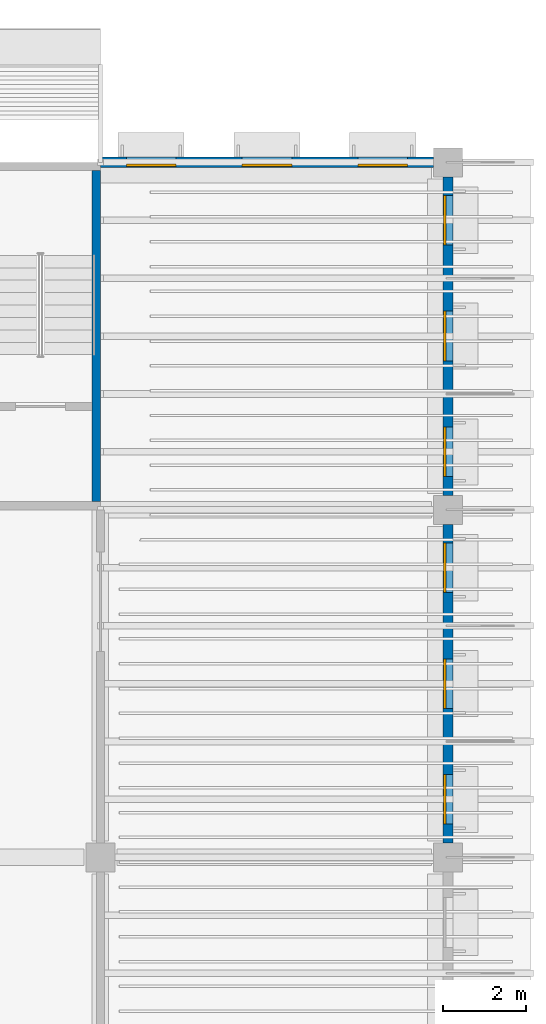
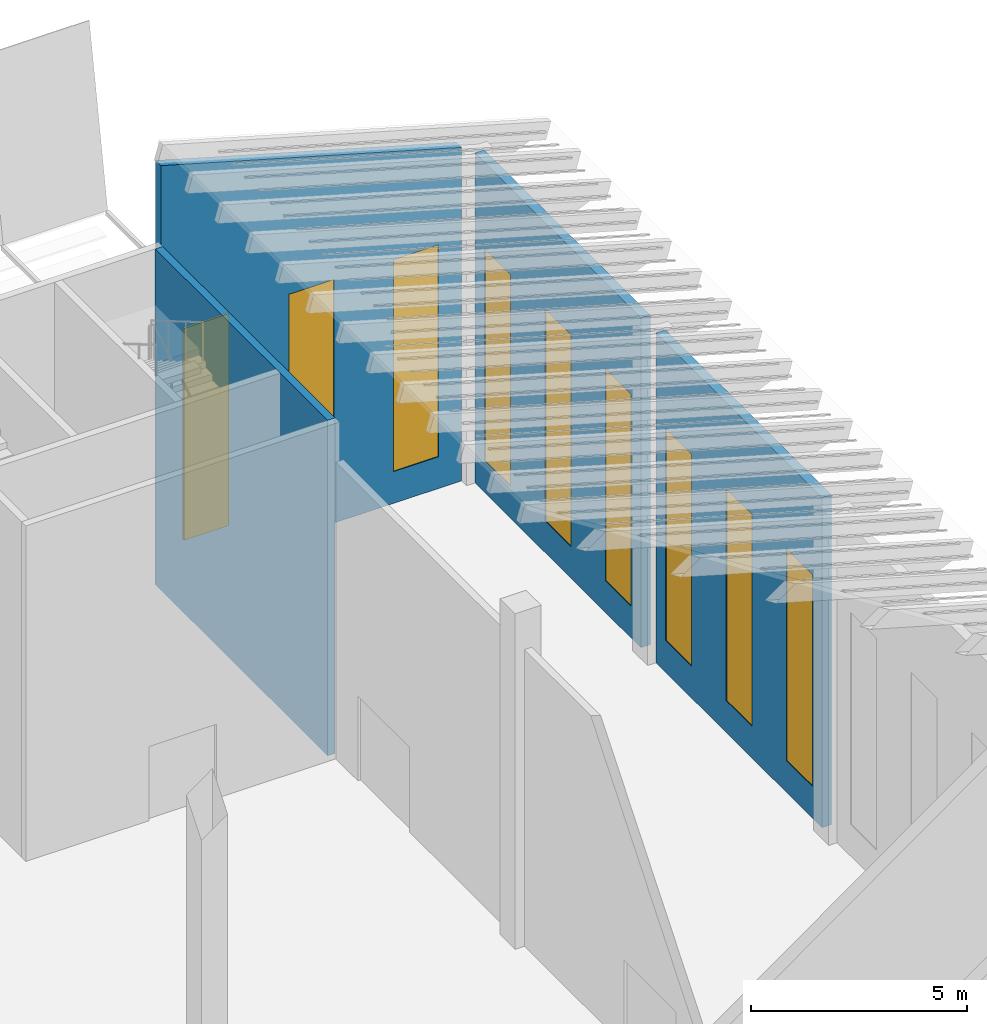
# One storey, part 52 of 114: 9 windows, 4 walls, 9 openings.
"""IFC4 building model written with IfcOpenShell, lengths in metres."""

from ifc_helpers import new_model, si_unit, direction, frame, frame_2d, origin, place, context, subcontext, project, spatial, polyline, rectangle, outline, extrude, material, layer, layer_set, type_object, element, fill, save


model = new_model("IFC4")

# Units and contexts
model_context = context("Model", 3, precision=1e-05, world=origin(), true_north=direction((0.0, 1.0)))
body_context = subcontext(model_context, "Body", "Model", "MODEL_VIEW")
ifc_project = project(units=[si_unit("LENGTHUNIT", "METRE"), si_unit("AREAUNIT", "SQUARE_METRE"), si_unit("VOLUMEUNIT", "CUBIC_METRE"), si_unit("PLANEANGLEUNIT", "RADIAN"), si_unit("MASSUNIT", "GRAM", prefix="KILO")], contexts=[model_context])

# Site, building, storey
site_placement = place(None, origin())
site = spatial("IfcSite", under=ifc_project, at=site_placement, CompositionType="ELEMENT")
building_placement = place(site_placement, origin())
building = spatial("IfcBuilding", under=site, at=building_placement, Name="Almond Square Museum", CompositionType="ELEMENT")
storey_placement = place(building_placement, frame((0.0, 0.0, 10.5)))
storey = spatial("IfcBuildingStorey", under=building, at=storey_placement, Name="L02", CompositionType="ELEMENT", Elevation=10.5)

# Wall, openings, windows
ifc_material_1 = material(Name="Precast concrete C40/50", Category="concrete")
ifc_layer_1 = layer(ifc_material_1, 0.25)
ifc_layer_set_1 = layer_set([ifc_layer_1], Name="Precast concrete C40/50")
wall_type_1 = type_object("IfcWallType", Name="Precast concrete panel wall 250 with coral limestone piers", PredefinedType="SOLIDWALL", material=ifc_layer_set_1)
wall_1_placement = place(storey_placement, frame((157.199951171875, 92.75, 0.0), z_axis=(0.0, 0.0, 1.0), x_axis=(0.0, 1.0, 0.0)))
wall_1 = element("IfcWall", 1, at=wall_1_placement, inside=storey, type_object=wall_type_1, Name="External wall W2 V4E L02 E05", PredefinedType="SOLIDWALL", context=body_context, shape_type="SweptSolid", body=[
    extrude(rectangle(XDim=7.699951171875, YDim=0.25, at=frame_2d((3.85009765625, 0.0))), origin(), (0.0, 0.0, 1.0), 9.341552734375),
])
opening_1_placement = place(wall_1_placement, frame((0.449951171875, 0.0, 0.89990234375)))
opening_1 = element("IfcOpeningElement", 2, at=opening_1_placement, cuts=wall_1, Name="Opening W2096", PredefinedType="OPENING", context=body_context, shape_type="SweptSolid", body=[
    extrude(rectangle(XDim=1.199951171875, YDim=6.0, at=frame_2d((0.60009765625, 3.0))), frame((0.0, 0.135009765625, 0.0), z_axis=(0.0, -1.0, 0.0), x_axis=(1.0, 0.0, 0.0)), (0.0, 0.0, 1.0), 0.27001953125),
])
opening_2_placement = place(wall_1_placement, frame((3.25, 0.0, 0.89990234375)))
opening_2 = element("IfcOpeningElement", 3, at=opening_2_placement, cuts=wall_1, Name="Opening W2097", PredefinedType="OPENING", context=body_context, shape_type="SweptSolid", body=[
    extrude(rectangle(XDim=1.199951171875, YDim=6.0, at=frame_2d((0.60009765625, 3.0))), frame((0.0, 0.135009765625, 0.0), z_axis=(0.0, -1.0, 0.0), x_axis=(1.0, 0.0, 0.0)), (0.0, 0.0, 1.0), 0.27001953125),
])
opening_3_placement = place(wall_1_placement, frame((6.050048828125, 0.0, 0.89990234375)))
opening_3 = element("IfcOpeningElement", 4, at=opening_3_placement, cuts=wall_1, Name="Opening W2098", PredefinedType="OPENING", context=body_context, shape_type="SweptSolid", body=[
    extrude(rectangle(XDim=1.199951171875, YDim=6.0, at=frame_2d((0.60009765625, 3.0))), frame((0.0, 0.135009765625, 0.0), z_axis=(0.0, -1.0, 0.0), x_axis=(1.0, 0.0, 0.0)), (0.0, 0.0, 1.0), 0.27001953125),
])
ifc_material_2 = material(Name="Anodised aluminium louvre and laminated glass", Category="aluminium")
window_type = type_object("IfcWindowType", Name="Tall louvred pier window", PartitioningType="SINGLE_PANEL", PredefinedType="WINDOW", material=ifc_material_2)
window_1_placement = place(opening_1_placement, origin())
window_1 = element("IfcWindow", 5, at=window_1_placement, inside=storey, type_object=window_type, Name="Tall louvred pier window W2096", OverallHeight=6.0, OverallWidth=1.199951171875, PartitioningType="SINGLE_PANEL", PredefinedType="WINDOW", context=body_context, shape_type="SweptSolid", body=[
    extrude(rectangle(XDim=1.199951171875, YDim=6.0, at=frame_2d((0.60009765625, 3.0))), frame((0.0, 0.10498046875, 0.0), z_axis=(0.0, -1.0, 0.0), x_axis=(1.0, 0.0, 0.0)), (0.0, 0.0, 1.0), 0.06005859375),
])
fill(opening_1, window_1)
window_2_placement = place(opening_2_placement, origin())
window_2 = element("IfcWindow", 6, at=window_2_placement, inside=storey, type_object=window_type, Name="Tall louvred pier window W2097", OverallHeight=6.0, OverallWidth=1.199951171875, PartitioningType="SINGLE_PANEL", PredefinedType="WINDOW", context=body_context, shape_type="SweptSolid", body=[
    extrude(rectangle(XDim=1.199951171875, YDim=6.0, at=frame_2d((0.60009765625, 3.0))), frame((0.0, 0.10498046875, 0.0), z_axis=(0.0, -1.0, 0.0), x_axis=(1.0, 0.0, 0.0)), (0.0, 0.0, 1.0), 0.06005859375),
])
fill(opening_2, window_2)
window_3_placement = place(opening_3_placement, origin())
window_3 = element("IfcWindow", 7, at=window_3_placement, inside=storey, type_object=window_type, Name="Tall louvred pier window W2098", OverallHeight=6.0, OverallWidth=1.199951171875, PartitioningType="SINGLE_PANEL", PredefinedType="WINDOW", context=body_context, shape_type="SweptSolid", body=[
    extrude(rectangle(XDim=1.199951171875, YDim=6.0, at=frame_2d((0.60009765625, 3.0))), frame((0.0, 0.10498046875, 0.0), z_axis=(0.0, -1.0, 0.0), x_axis=(1.0, 0.0, 0.0)), (0.0, 0.0, 1.0), 0.06005859375),
])
fill(opening_3, window_3)

wall_2_placement = place(storey_placement, frame((157.199951171875, 101.14990234375, 0.0), z_axis=(0.0, 0.0, 1.0), x_axis=(0.0, 1.0, 0.0)))
wall_2 = element("IfcWall", 8, at=wall_2_placement, inside=storey, type_object=wall_type_1, Name="External wall W2 V4E L02 E06", PredefinedType="SOLIDWALL", context=body_context, shape_type="SweptSolid", body=[
    extrude(rectangle(XDim=7.7001953125, YDim=0.25, at=frame_2d((3.85009765625, 0.0))), origin(), (0.0, 0.0, 1.0), 9.341552734375),
])
opening_4_placement = place(wall_2_placement, frame((0.449951171875, 0.0, 0.89990234375)))
opening_4 = element("IfcOpeningElement", 9, at=opening_4_placement, cuts=wall_2, Name="Opening W2099", PredefinedType="OPENING", context=body_context, shape_type="SweptSolid", body=[
    extrude(rectangle(XDim=1.199951171875, YDim=6.0, at=frame_2d((0.60009765625, 3.0))), frame((0.0, 0.135009765625, 0.0), z_axis=(0.0, -1.0, 0.0), x_axis=(1.0, 0.0, 0.0)), (0.0, 0.0, 1.0), 0.27001953125),
])
opening_5_placement = place(wall_2_placement, frame((3.25, 0.0, 0.89990234375)))
opening_5 = element("IfcOpeningElement", 10, at=opening_5_placement, cuts=wall_2, Name="Opening W2100", PredefinedType="OPENING", context=body_context, shape_type="SweptSolid", body=[
    extrude(rectangle(XDim=1.199951171875, YDim=6.0, at=frame_2d((0.60009765625, 3.0))), frame((0.0, 0.135009765625, 0.0), z_axis=(0.0, -1.0, 0.0), x_axis=(1.0, 0.0, 0.0)), (0.0, 0.0, 1.0), 0.27001953125),
])
opening_6_placement = place(wall_2_placement, frame((6.050048828125, 0.0, 0.89990234375)))
opening_6 = element("IfcOpeningElement", 11, at=opening_6_placement, cuts=wall_2, Name="Opening W2101", PredefinedType="OPENING", context=body_context, shape_type="SweptSolid", body=[
    extrude(rectangle(XDim=1.199951171875, YDim=6.0, at=frame_2d((0.60009765625, 3.0))), frame((0.0, 0.135009765625, 0.0), z_axis=(0.0, -1.0, 0.0), x_axis=(1.0, 0.0, 0.0)), (0.0, 0.0, 1.0), 0.27001953125),
])
window_4_placement = place(opening_4_placement, origin())
window_4 = element("IfcWindow", 12, at=window_4_placement, inside=storey, type_object=window_type, Name="Tall louvred pier window W2099", OverallHeight=6.0, OverallWidth=1.199951171875, PartitioningType="SINGLE_PANEL", PredefinedType="WINDOW", context=body_context, shape_type="SweptSolid", body=[
    extrude(rectangle(XDim=1.199951171875, YDim=6.0, at=frame_2d((0.60009765625, 3.0))), frame((0.0, 0.10498046875, 0.0), z_axis=(0.0, -1.0, 0.0), x_axis=(1.0, 0.0, 0.0)), (0.0, 0.0, 1.0), 0.06005859375),
])
fill(opening_4, window_4)
window_5_placement = place(opening_5_placement, origin())
window_5 = element("IfcWindow", 13, at=window_5_placement, inside=storey, type_object=window_type, Name="Tall louvred pier window W2100", OverallHeight=6.0, OverallWidth=1.199951171875, PartitioningType="SINGLE_PANEL", PredefinedType="WINDOW", context=body_context, shape_type="SweptSolid", body=[
    extrude(rectangle(XDim=1.199951171875, YDim=6.0, at=frame_2d((0.60009765625, 3.0))), frame((0.0, 0.10498046875, 0.0), z_axis=(0.0, -1.0, 0.0), x_axis=(1.0, 0.0, 0.0)), (0.0, 0.0, 1.0), 0.06005859375),
])
fill(opening_5, window_5)
window_6_placement = place(opening_6_placement, origin())
window_6 = element("IfcWindow", 14, at=window_6_placement, inside=storey, type_object=window_type, Name="Tall louvred pier window W2101", OverallHeight=6.0, OverallWidth=1.199951171875, PartitioningType="SINGLE_PANEL", PredefinedType="WINDOW", context=body_context, shape_type="SweptSolid", body=[
    extrude(rectangle(XDim=1.199951171875, YDim=6.0, at=frame_2d((0.60009765625, 3.0))), frame((0.0, 0.10498046875, 0.0), z_axis=(0.0, -1.0, 0.0), x_axis=(1.0, 0.0, 0.0)), (0.0, 0.0, 1.0), 0.06005859375),
])
fill(opening_6, window_6)

wall_3_placement = place(storey_placement, frame((148.800048828125, 109.199951171875, 0.0), z_axis=(0.0, 0.0, 1.0), x_axis=(1.0, 0.0, 0.0)))
wall_3 = element("IfcWall", 15, at=wall_3_placement, inside=storey, type_object=wall_type_1, Name="External wall W2 V4E L02 N01", PredefinedType="SOLIDWALL", context=body_context, shape_type="SweptSolid", body=[
    extrude(outline(polyline([(0.0, 0.0), (8.050048828125, 0.0), (8.050048828125, 9.441650390625), (0.0, 11.74169921875), (0.0, 0.0)])), frame((0.0, 0.125, 0.0), z_axis=(0.0, -1.0, 0.0), x_axis=(1.0, 0.0, 0.0)), (0.0, 0.0, 1.0), 0.25),
])
opening_7_placement = place(wall_3_placement, frame((0.625, 0.0, 0.89990234375)))
opening_7 = element("IfcOpeningElement", 16, at=opening_7_placement, cuts=wall_3, Name="Opening W2102", PredefinedType="OPENING", context=body_context, shape_type="SweptSolid", body=[
    extrude(rectangle(XDim=1.199951171875, YDim=6.0, at=frame_2d((0.60009765625, 3.0))), frame((0.0, 0.135009765625, 0.0), z_axis=(0.0, -1.0, 0.0), x_axis=(1.0, 0.0, 0.0)), (0.0, 0.0, 1.0), 0.27001953125),
])
opening_8_placement = place(wall_3_placement, frame((3.425048828125, 0.0, 0.89990234375)))
opening_8 = element("IfcOpeningElement", 17, at=opening_8_placement, cuts=wall_3, Name="Opening W2103", PredefinedType="OPENING", context=body_context, shape_type="SweptSolid", body=[
    extrude(rectangle(XDim=1.199951171875, YDim=6.0, at=frame_2d((0.60009765625, 3.0))), frame((0.0, 0.135009765625, 0.0), z_axis=(0.0, -1.0, 0.0), x_axis=(1.0, 0.0, 0.0)), (0.0, 0.0, 1.0), 0.27001953125),
])
opening_9_placement = place(wall_3_placement, frame((6.22509765625, 0.0, 0.89990234375)))
opening_9 = element("IfcOpeningElement", 18, at=opening_9_placement, cuts=wall_3, Name="Opening W2104", PredefinedType="OPENING", context=body_context, shape_type="SweptSolid", body=[
    extrude(rectangle(XDim=1.199951171875, YDim=6.0, at=frame_2d((0.60009765625, 3.0))), frame((0.0, 0.135009765625, 0.0), z_axis=(0.0, -1.0, 0.0), x_axis=(1.0, 0.0, 0.0)), (0.0, 0.0, 1.0), 0.27001953125),
])
window_7_placement = place(opening_7_placement, origin())
window_7 = element("IfcWindow", 19, at=window_7_placement, inside=storey, type_object=window_type, Name="Tall louvred pier window W2102", OverallHeight=6.0, OverallWidth=1.199951171875, PartitioningType="SINGLE_PANEL", PredefinedType="WINDOW", context=body_context, shape_type="SweptSolid", body=[
    extrude(rectangle(XDim=1.199951171875, YDim=6.0, at=frame_2d((0.60009765625, 3.0))), frame((0.0, -0.044921875, 0.0), z_axis=(0.0, -1.0, 0.0), x_axis=(1.0, 0.0, 0.0)), (0.0, 0.0, 1.0), 0.06005859375),
])
fill(opening_7, window_7)
window_8_placement = place(opening_8_placement, origin())
window_8 = element("IfcWindow", 20, at=window_8_placement, inside=storey, type_object=window_type, Name="Tall louvred pier window W2103", OverallHeight=6.0, OverallWidth=1.199951171875, PartitioningType="SINGLE_PANEL", PredefinedType="WINDOW", context=body_context, shape_type="SweptSolid", body=[
    extrude(rectangle(XDim=1.199951171875, YDim=6.0, at=frame_2d((0.60009765625, 3.0))), frame((0.0, -0.044921875, 0.0), z_axis=(0.0, -1.0, 0.0), x_axis=(1.0, 0.0, 0.0)), (0.0, 0.0, 1.0), 0.06005859375),
])
fill(opening_8, window_8)
window_9_placement = place(opening_9_placement, origin())
window_9 = element("IfcWindow", 21, at=window_9_placement, inside=storey, type_object=window_type, Name="Tall louvred pier window W2104", OverallHeight=6.0, OverallWidth=1.199951171875, PartitioningType="SINGLE_PANEL", PredefinedType="WINDOW", context=body_context, shape_type="SweptSolid", body=[
    extrude(rectangle(XDim=1.199951171875, YDim=6.0, at=frame_2d((0.60009765625, 3.0))), frame((0.0, -0.044921875, 0.0), z_axis=(0.0, -1.0, 0.0), x_axis=(1.0, 0.0, 0.0)), (0.0, 0.0, 1.0), 0.06005859375),
])
fill(opening_9, window_9)

# Wall
ifc_material_3 = material(Name="Concrete C40/50", Category="concrete")
ifc_layer_2 = layer(ifc_material_3, 0.199951171875)
ifc_layer_set_2 = layer_set([ifc_layer_2], Name="Concrete C40/50")
wall_type_2 = type_object("IfcWallType", Name="RC shear wall 200 C40/50", PredefinedType="SHEAR", material=ifc_layer_set_2)
wall_4_placement = place(storey_placement, frame((148.699951171875, 101.0, 0.0), z_axis=(0.0, 0.0, 1.0), x_axis=(0.0, 1.0, 0.0)))
element("IfcWall", 22, at=wall_4_placement, inside=storey, type_object=wall_type_2, Name="Core H3 east wall L02", PredefinedType="SHEAR", context=body_context, shape_type="SweptSolid", body=[
    extrude(rectangle(XDim=8.0, YDim=0.199951171875, at=frame_2d((4.0, 0.0))), origin(), (0.0, 0.0, 1.0), 9.5),
])

save(model, "model.ifc")
